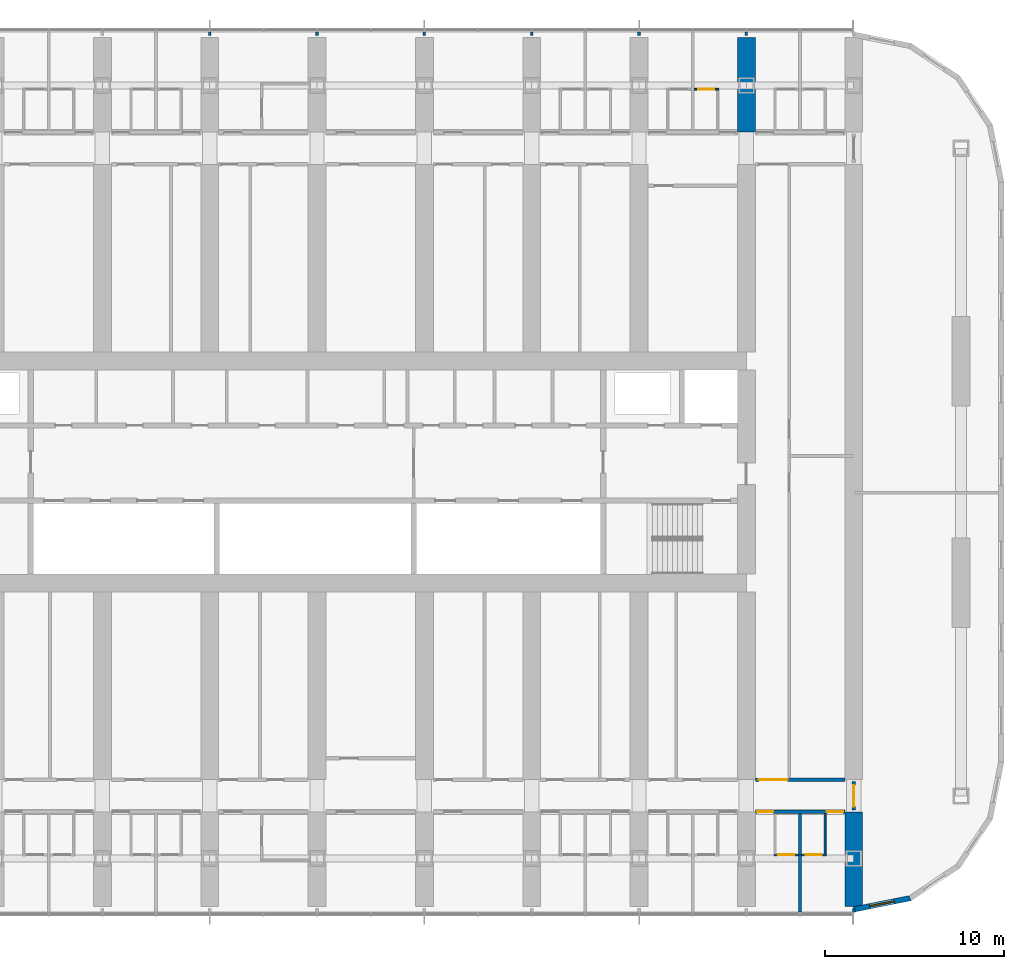
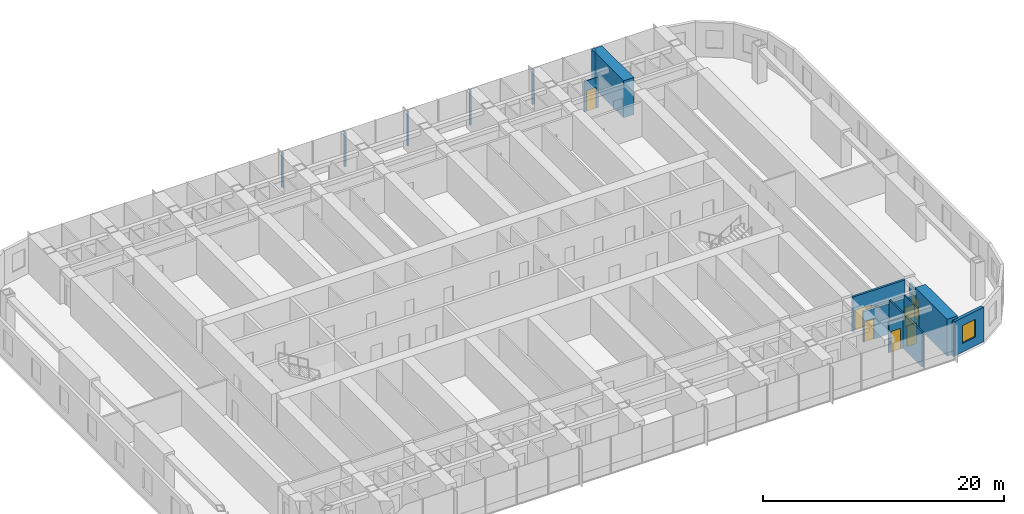
# One storey, part 18 of 25: 18 walls, 7 doors, 1 window, 8 openings.
"""IFC4 building model written with IfcOpenShell, lengths in metres."""

from ifc_helpers import new_model, si_unit, direction, frame, frame_2d, origin, place, context, subcontext, project, spatial, polyline, rectangle, outline, extrude, material, layer, layer_set, type_object, element, fill, save


model = new_model("IFC4")

# Units and contexts
model_context = context("Model", 3, precision=1e-05, world=origin(), true_north=direction((0.0, 1.0)))
body_context = subcontext(model_context, "Body", "Model", "MODEL_VIEW")
ifc_project = project(units=[si_unit("LENGTHUNIT", "METRE"), si_unit("AREAUNIT", "SQUARE_METRE"), si_unit("VOLUMEUNIT", "CUBIC_METRE"), si_unit("PLANEANGLEUNIT", "RADIAN"), si_unit("MASSUNIT", "GRAM", prefix="KILO")], contexts=[model_context])

# Site, building, storey
site_placement = place(None, origin())
site = spatial("IfcSite", under=ifc_project, at=site_placement, CompositionType="ELEMENT")
building_placement = place(site_placement, origin())
building = spatial("IfcBuilding", under=site, at=building_placement, Name="Orbita Commons", CompositionType="ELEMENT")
storey_placement = place(building_placement, frame((0.0, 0.0, 31.449951171875)))
storey = spatial("IfcBuildingStorey", under=building, at=storey_placement, Name="L07", CompositionType="ELEMENT", Elevation=31.449951171875)

# Wall, openings, doors
ifc_material_1 = material(Name="Concrete blockwork", Category="masonry")
ifc_layer_1 = layer(ifc_material_1, 0.199951171875)
ifc_layer_set_1 = layer_set([ifc_layer_1], Name="Concrete blockwork")
wall_type_1 = type_object("IfcWallType", Name="Corridor wall 200 blockwork", PredefinedType="SOLIDWALL", material=ifc_layer_set_1)
wall_1_placement = place(storey_placement, frame((66.5, 13.0, 0.0), z_axis=(0.0, 0.0, 1.0), x_axis=(1.0, 0.0, 0.0)))
wall_1 = element("IfcWall", 1, at=wall_1_placement, inside=storey, type_object=wall_type_1, Name="Corridor wall 200 blockwork L07", PredefinedType="SOLIDWALL", context=body_context, shape_type="SweptSolid", body=[
    extrude(outline(polyline([(0.0, 0.0), (5.0, 0.0), (5.0, 3.10009765625), (0.0, 3.10009765625), (0.0, 0.0)])), frame((0.0, 0.10009765625, 0.0), z_axis=(0.0, -1.0, 0.0), x_axis=(1.0, 0.0, 0.0)), (0.0, 0.0, 1.0), 0.199951171875),
])
opening_1_placement = place(wall_1_placement, frame((0.10009765625, 0.0, 0.0)))
opening_1 = element("IfcOpeningElement", 2, at=opening_1_placement, cuts=wall_1, Name="Opening D11", PredefinedType="OPENING", context=body_context, shape_type="SweptSolid", body=[
    extrude(rectangle(XDim=0.89990234375, YDim=2.10009765625, at=frame_2d((0.449951171875, 1.050048828125))), frame((0.0, 0.10986328125, 0.0), z_axis=(0.0, -1.0, 0.0), x_axis=(1.0, 0.0, 0.0)), (0.0, 0.0, 1.0), 0.219970703125),
])
opening_2_placement = place(wall_1_placement, frame((4.0, 0.0, 0.0)))
opening_2 = element("IfcOpeningElement", 3, at=opening_2_placement, cuts=wall_1, Name="Opening D11", PredefinedType="OPENING", context=body_context, shape_type="SweptSolid", body=[
    extrude(rectangle(XDim=0.89990234375, YDim=2.10009765625, at=frame_2d((0.449951171875, 1.050048828125))), frame((0.0, 0.10986328125, 0.0), z_axis=(0.0, -1.0, 0.0), x_axis=(1.0, 0.0, 0.0)), (0.0, 0.0, 1.0), 0.219970703125),
])
ifc_material_2 = material(Name="Steel-faced fire door leaf", Category="steel")
door_type_1 = type_object("IfcDoorType", Name="Corridor door 20 min 900x2100", OperationType="SINGLE_SWING_LEFT", PredefinedType="DOOR", material=ifc_material_2)
door_1_placement = place(opening_1_placement, origin())
door_1 = element("IfcDoor", 4, at=door_1_placement, inside=storey, type_object=door_type_1, Name="House bedroom L07-S18 door", OperationType="SINGLE_SWING_LEFT", OverallHeight=2.10009765625, OverallWidth=0.89990234375, PredefinedType="DOOR", context=body_context, shape_type="SweptSolid", body=[
    extrude(rectangle(XDim=0.89990234375, YDim=2.10009765625, at=frame_2d((0.449951171875, 1.050048828125))), frame((0.0, 0.02490234375, 0.0), z_axis=(0.0, -1.0, 0.0), x_axis=(1.0, 0.0, 0.0)), (0.0, 0.0, 1.0), 0.050048828125),
])
fill(opening_1, door_1)
door_2_placement = place(opening_2_placement, origin())
door_2 = element("IfcDoor", 5, at=door_2_placement, inside=storey, type_object=door_type_1, Name="House bedroom L07-S19 door", OperationType="SINGLE_SWING_LEFT", OverallHeight=2.10009765625, OverallWidth=0.89990234375, PredefinedType="DOOR", context=body_context, shape_type="SweptSolid", body=[
    extrude(rectangle(XDim=0.89990234375, YDim=2.10009765625, at=frame_2d((0.449951171875, 1.050048828125))), frame((0.0, 0.02490234375, 0.0), z_axis=(0.0, -1.0, 0.0), x_axis=(1.0, 0.0, 0.0)), (0.0, 0.0, 1.0), 0.050048828125),
])
fill(opening_2, door_2)

# Wall, opening, door
wall_2_placement = place(storey_placement, frame((72.0, 13.10009765625, 0.0), z_axis=(0.0, 0.0, 1.0), x_axis=(0.0, 1.0, 0.0)))
wall_2 = element("IfcWall", 6, at=wall_2_placement, inside=storey, type_object=wall_type_1, Name="Corridor wall 200 blockwork L07", PredefinedType="SOLIDWALL", context=body_context, shape_type="SweptSolid", body=[
    extrude(outline(polyline([(0.0, 0.0), (1.599853515625, 0.0), (1.60009765625, 3.050048828125), (0.0, 3.050048828125), (0.0, 0.0)])), frame((0.0, 0.10009765625, 0.0), z_axis=(0.0, -1.0, 0.0), x_axis=(1.0, 0.0, 0.0)), (0.0, 0.0, 1.0), 0.199951171875),
])
opening_3_placement = place(wall_2_placement, frame((0.199951171875, 0.0, 0.0)))
opening_3 = element("IfcOpeningElement", 7, at=opening_3_placement, cuts=wall_2, Name="Opening D12", PredefinedType="OPENING", context=body_context, shape_type="SweptSolid", body=[
    extrude(rectangle(XDim=1.199951171875, YDim=2.10009765625, at=frame_2d((0.60009765625, 1.050048828125))), frame((0.0, 0.10986328125, 0.0), z_axis=(0.0, -1.0, 0.0), x_axis=(1.0, 0.0, 0.0)), (0.0, 0.0, 1.0), 0.219970703125),
])
ifc_material_3 = material(Name="Steel-faced fire door leaf", Category="steel")
door_type_2 = type_object("IfcDoorType", Name="Double corridor door 20 min 1200x2100", OperationType="DOUBLE_DOOR_SINGLE_SWING", PredefinedType="DOOR", material=ifc_material_3)
door_3_placement = place(opening_3_placement, origin())
door_3 = element("IfcDoor", 8, at=door_3_placement, inside=storey, type_object=door_type_2, Name="Lounge doors", OperationType="DOUBLE_DOOR_SINGLE_SWING", OverallHeight=2.10009765625, OverallWidth=1.199951171875, PredefinedType="DOOR", context=body_context, shape_type="SweptSolid", body=[
    extrude(rectangle(XDim=1.199951171875, YDim=2.10009765625, at=frame_2d((0.60009765625, 1.050048828125))), frame((0.0, 0.02490234375, 0.0), z_axis=(0.0, -1.0, 0.0), x_axis=(1.0, 0.0, 0.0)), (0.0, 0.0, 1.0), 0.050048828125),
])
fill(opening_3, door_3)

ifc_material_4 = material(Name="Hollow concrete block 200", Category="concrete")
ifc_layer_2 = layer(ifc_material_4, 0.199951171875)
ifc_layer_set_2 = layer_set([ifc_layer_2], Name="Hollow concrete block 200")
wall_type_2 = type_object("IfcWallType", Name="Corridor wall 200 hollow concrete block", PredefinedType="SOLIDWALL", material=ifc_layer_set_2)
wall_3_placement = place(storey_placement, frame((66.5, 14.800048828125, 0.0), z_axis=(0.0, 0.0, 1.0), x_axis=(1.0, 0.0, 0.0)))
wall_3 = element("IfcWall", 9, at=wall_3_placement, inside=storey, type_object=wall_type_2, Name="Corridor wall 200 hollow concrete block L07", PredefinedType="SOLIDWALL", context=body_context, shape_type="SweptSolid", body=[
    extrude(rectangle(XDim=5.0, YDim=0.199951171875, at=frame_2d((2.5, 0.0))), origin(), (0.0, 0.0, 1.0), 3.5),
])
opening_4_placement = place(wall_3_placement, frame((0.199951171875, 0.0, 0.0)))
opening_4 = element("IfcOpeningElement", 10, at=opening_4_placement, cuts=wall_3, Name="Opening D10", PredefinedType="OPENING", context=body_context, shape_type="SweptSolid", body=[
    extrude(rectangle(XDim=1.60009765625, YDim=2.10009765625, at=frame_2d((0.800048828125, 1.050048828125))), frame((0.0, 0.10986328125, 0.0), z_axis=(0.0, -1.0, 0.0), x_axis=(1.0, 0.0, 0.0)), (0.0, 0.0, 1.0), 0.219970703125),
])
ifc_material_5 = material(Name="Steel-faced fire door leaf", Category="steel")
door_type_3 = type_object("IfcDoorType", Name="Double corridor door 20 min 1600x2100", OperationType="DOUBLE_DOOR_SINGLE_SWING", PredefinedType="DOOR", material=ifc_material_5)
door_4_placement = place(opening_4_placement, origin())
door_4 = element("IfcDoor", 11, at=door_4_placement, inside=storey, type_object=door_type_3, Name="Cross corridor doors", OperationType="DOUBLE_DOOR_SINGLE_SWING", OverallHeight=2.10009765625, OverallWidth=1.60009765625, PredefinedType="DOOR", context=body_context, shape_type="SweptSolid", body=[
    extrude(rectangle(XDim=1.60009765625, YDim=2.10009765625, at=frame_2d((0.800048828125, 1.050048828125))), frame((0.0, 0.02490234375, 0.0), z_axis=(0.0, -1.0, 0.0), x_axis=(1.0, 0.0, 0.0)), (0.0, 0.0, 1.0), 0.050048828125),
])
fill(opening_4, door_4)

# Walls
ifc_material_6 = material(Name="Concrete C50/60", Category="concrete")
ifc_layer_3 = layer(ifc_material_6, 1.0)
ifc_layer_set_3 = layer_set([ifc_layer_3], Name="Concrete C50/60")
wall_type_3 = type_object("IfcWallType", Name="Cross wall 1000 C50/60", PredefinedType="SHEAR", material=ifc_layer_set_3)
for number, where, z_axis, x_axis, name in (
    (12, (66.0, 51.0, 0.0), (0.0, 0.0, 1.0), (0.0, 1.0, 0.0), "Cross wall 12 north outer L07"),
    (13, (72.0, 7.699951171875, 0.0), (0.0, 0.0, 1.0), (0.0, 1.0, 0.0), "Cross wall 13 south outer L07"),
):
    element("IfcWall", number, at=place(storey_placement, frame(where, z_axis=z_axis, x_axis=x_axis)), inside=storey, type_object=wall_type_3, Name=name, PredefinedType="SHEAR", context=body_context, shape_type="SweptSolid", body=[
        extrude(rectangle(XDim=5.300048828125, YDim=1.0, at=frame_2d((2.64990234375, 0.0))), origin(), (0.0, 0.0, 1.0), 3.75),
    ])

# Wall, opening, door
ifc_material_7 = material(Name="Moisture-resistant plasterboard on steel studs", Category="steel")
ifc_layer_4 = layer(ifc_material_7, 0.10009765625)
ifc_layer_set_4 = layer_set([ifc_layer_4], Name="Moisture-resistant plasterboard on steel studs")
wall_type_4 = type_object("IfcWallType", Name="En-suite partition 100", PredefinedType="PARTITIONING", material=ifc_layer_set_4)
wall_4_placement = place(storey_placement, frame((68.925048828125, 10.59814453125, 0.0), z_axis=(0.0, 0.0, 1.0), x_axis=(-1.0, 0.0, 0.0)))
wall_4 = element("IfcWall", 14, at=wall_4_placement, inside=storey, type_object=wall_type_4, Name="En-suite partition 100 L07", PredefinedType="PARTITIONING", context=body_context, shape_type="SweptSolid", body=[
    extrude(outline(polyline([(0.0, 0.0), (1.375, 0.0), (1.375, 3.10009765625), (0.0, 3.10009765625), (0.0, 0.0)])), frame((0.0, 0.050048828125, 0.0), z_axis=(0.0, -1.0, 0.0), x_axis=(1.0, 0.0, 0.0)), (0.0, 0.0, 1.0), 0.10009765625),
])
opening_5_placement = place(wall_4_placement, frame((0.237548828125, 0.0, 0.0)))
opening_5 = element("IfcOpeningElement", 15, at=opening_5_placement, cuts=wall_4, Name="Opening D09", PredefinedType="OPENING", context=body_context, shape_type="SweptSolid", body=[
    extrude(rectangle(XDim=0.89990234375, YDim=2.10009765625, at=frame_2d((0.449951171875, 1.050048828125))), frame((0.0, 0.06005859375, 0.0), z_axis=(0.0, -1.0, 0.0), x_axis=(1.0, 0.0, 0.0)), (0.0, 0.0, 1.0), 0.1201171875),
])
ifc_material_8 = material(Name="Laminated timber door leaf", Category="wood")
door_type_4 = type_object("IfcDoorType", Name="En-suite door 900x2100", OperationType="SINGLE_SWING_RIGHT", PredefinedType="DOOR", material=ifc_material_8)
door_5_placement = place(opening_5_placement, origin())
door_5 = element("IfcDoor", 16, at=door_5_placement, inside=storey, type_object=door_type_4, Name="En-suite L07-S18 door", OperationType="SINGLE_SWING_RIGHT", OverallHeight=2.10009765625, OverallWidth=0.89990234375, PredefinedType="DOOR", context=body_context, shape_type="SweptSolid", body=[
    extrude(rectangle(XDim=0.89990234375, YDim=2.10009765625, at=frame_2d((0.449951171875, 1.050048828125))), frame((0.0, 0.02490234375, 0.0), z_axis=(0.0, -1.0, 0.0), x_axis=(1.0, 0.0, 0.0)), (0.0, 0.0, 1.0), 0.050048828125),
])
fill(opening_5, door_5)

wall_5_placement = place(storey_placement, frame((70.449951171875, 10.59814453125, 0.0), z_axis=(0.0, 0.0, 1.0), x_axis=(-1.0, 0.0, 0.0)))
wall_5 = element("IfcWall", 17, at=wall_5_placement, inside=storey, type_object=wall_type_4, Name="En-suite partition 100 L07", PredefinedType="PARTITIONING", context=body_context, shape_type="SweptSolid", body=[
    extrude(outline(polyline([(0.0, 0.0), (1.375, 0.0), (1.375, 3.10009765625), (0.0, 3.10009765625), (0.0, 0.0)])), frame((0.0, 0.050048828125, 0.0), z_axis=(0.0, -1.0, 0.0), x_axis=(1.0, 0.0, 0.0)), (0.0, 0.0, 1.0), 0.10009765625),
])
opening_6_placement = place(wall_5_placement, frame((0.237548828125, 0.0, 0.0)))
opening_6 = element("IfcOpeningElement", 18, at=opening_6_placement, cuts=wall_5, Name="Opening D09", PredefinedType="OPENING", context=body_context, shape_type="SweptSolid", body=[
    extrude(rectangle(XDim=0.89990234375, YDim=2.10009765625, at=frame_2d((0.449951171875, 1.050048828125))), frame((0.0, 0.06005859375, 0.0), z_axis=(0.0, -1.0, 0.0), x_axis=(1.0, 0.0, 0.0)), (0.0, 0.0, 1.0), 0.1201171875),
])
door_6_placement = place(opening_6_placement, origin())
door_6 = element("IfcDoor", 19, at=door_6_placement, inside=storey, type_object=door_type_4, Name="En-suite L07-S19 door", OperationType="SINGLE_SWING_RIGHT", OverallHeight=2.10009765625, OverallWidth=0.89990234375, PredefinedType="DOOR", context=body_context, shape_type="SweptSolid", body=[
    extrude(rectangle(XDim=0.89990234375, YDim=2.10009765625, at=frame_2d((0.449951171875, 1.050048828125))), frame((0.0, 0.02490234375, 0.0), z_axis=(0.0, -1.0, 0.0), x_axis=(1.0, 0.0, 0.0)), (0.0, 0.0, 1.0), 0.050048828125),
])
fill(opening_6, door_6)

# Wall
wall_6_placement = place(storey_placement, frame((70.39990234375, 10.648193359375, 0.0), z_axis=(0.0, 0.0, 1.0), x_axis=(0.0, 1.0, 0.0)))
element("IfcWall", 20, at=wall_6_placement, inside=storey, type_object=wall_type_4, Name="En-suite partition 100 L07", PredefinedType="PARTITIONING", context=body_context, shape_type="SweptSolid", body=[
    extrude(outline(polyline([(0.0, 0.0), (2.251708984375, 0.0), (2.251953125, 3.10009765625), (2.203857421875, 3.10009765625), (2.201904296875, 3.5), (0.0, 3.5), (0.0, 0.0)])), frame((0.0, 0.050048828125, 0.0), z_axis=(0.0, -1.0, 0.0), x_axis=(1.0, 0.0, 0.0)), (0.0, 0.0, 1.0), 0.10009765625),
])

# Wall, opening, door
wall_7_placement = place(storey_placement, frame((63.074951171875, 53.40185546875, 0.0), z_axis=(0.0, 0.0, 1.0), x_axis=(1.0, 0.0, 0.0)))
wall_7 = element("IfcWall", 21, at=wall_7_placement, inside=storey, type_object=wall_type_4, Name="En-suite partition 100 L07", PredefinedType="PARTITIONING", context=body_context, shape_type="SweptSolid", body=[
    extrude(outline(polyline([(0.0, 0.0), (1.375, 0.0), (1.375, 3.10009765625), (0.0, 3.10009765625), (0.0, 0.0)])), frame((0.0, 0.050048828125, 0.0), z_axis=(0.0, -1.0, 0.0), x_axis=(1.0, 0.0, 0.0)), (0.0, 0.0, 1.0), 0.10009765625),
])
opening_7_placement = place(wall_7_placement, frame((0.237548828125, 0.0, 0.0)))
opening_7 = element("IfcOpeningElement", 22, at=opening_7_placement, cuts=wall_7, Name="Opening D09", PredefinedType="OPENING", context=body_context, shape_type="SweptSolid", body=[
    extrude(rectangle(XDim=0.89990234375, YDim=2.10009765625, at=frame_2d((0.449951171875, 1.050048828125))), frame((0.0, 0.06005859375, 0.0), z_axis=(0.0, -1.0, 0.0), x_axis=(1.0, 0.0, 0.0)), (0.0, 0.0, 1.0), 0.1201171875),
])
door_7_placement = place(opening_7_placement, origin())
door_7 = element("IfcDoor", 23, at=door_7_placement, inside=storey, type_object=door_type_4, Name="En-suite L07-N17 door", OperationType="SINGLE_SWING_RIGHT", OverallHeight=2.10009765625, OverallWidth=0.89990234375, PredefinedType="DOOR", context=body_context, shape_type="SweptSolid", body=[
    extrude(rectangle(XDim=0.89990234375, YDim=2.10009765625, at=frame_2d((0.449951171875, 1.050048828125))), frame((0.0, 0.02490234375, 0.0), z_axis=(0.0, -1.0, 0.0), x_axis=(1.0, 0.0, 0.0)), (0.0, 0.0, 1.0), 0.050048828125),
])
fill(opening_7, door_7)

# Walls
ifc_material_9 = material(Name="Gypsum plasterboard on steel studs", Category="steel")
ifc_layer_5 = layer(ifc_material_9, 0.14990234375)
ifc_layer_set_5 = layer_set([ifc_layer_5], Name="Gypsum plasterboard on steel studs")
wall_type_5 = type_object("IfcWallType", Name="Partition 150 plasterboard", PredefinedType="PARTITIONING", material=ifc_layer_set_5)
for number, where, z_axis, x_axis, name in (
    (24, (36.0, 56.39990234375, 0.0), (0.0, 0.0, 1.0), (0.0, 1.0, 0.0), "Partition 150 plasterboard L07"),
    (25, (42.0, 56.39990234375, 0.0), (0.0, 0.0, 1.0), (0.0, 1.0, 0.0), "Partition 150 plasterboard L07"),
    (26, (48.0, 56.39990234375, 0.0), (0.0, 0.0, 1.0), (0.0, 1.0, 0.0), "Partition 150 plasterboard L07"),
    (27, (54.0, 56.39990234375, 0.0), (0.0, 0.0, 1.0), (0.0, 1.0, 0.0), "Partition 150 plasterboard L07"),
    (28, (60.0, 56.39990234375, 0.0), (0.0, 0.0, 1.0), (0.0, 1.0, 0.0), "Partition 150 plasterboard L07"),
    (29, (66.0, 56.39990234375, 0.0), (0.0, 0.0, 1.0), (0.0, 1.0, 0.0), "Partition 150 plasterboard L07"),
):
    element("IfcWall", number, at=place(storey_placement, frame(where, z_axis=z_axis, x_axis=x_axis)), inside=storey, type_object=wall_type_5, Name=name, PredefinedType="PARTITIONING", context=body_context, shape_type="SweptSolid", body=[
        extrude(rectangle(XDim=0.190185546875, YDim=0.14990234375, at=frame_2d((0.09521484375, 0.0))), origin(), (0.0, 0.0, 1.0), 3.5),
    ])
wall_8_placement = place(storey_placement, frame((72.0, 7.60009765625, 0.0), z_axis=(0.0, 0.0, 1.0), x_axis=(0.0, -1.0, 0.0)))
element("IfcWall", 30, at=wall_8_placement, inside=storey, type_object=wall_type_5, Name="Partition 150 plasterboard L07", PredefinedType="PARTITIONING", context=body_context, shape_type="SweptSolid", body=[
    extrude(rectangle(XDim=0.22021484375, YDim=0.14990234375, at=frame_2d((0.110107421875, 0.0))), origin(), (0.0, 0.0, 1.0), 3.5),
])
ifc_material_10 = material(Name="Gypsum plasterboard on steel studs", Category="steel")
ifc_layer_6 = layer(ifc_material_10, 0.14990234375)
ifc_layer_set_6 = layer_set([ifc_layer_6], Name="Gypsum plasterboard on steel studs")
wall_type_6 = type_object("IfcWallType", Name="Party wall 150 plasterboard", PredefinedType="PARTITIONING", material=ifc_layer_set_6)
wall_9_placement = place(storey_placement, frame((69.0, 7.409912109375, 0.0), z_axis=(0.0, 0.0, 1.0), x_axis=(0.0, 1.0, 0.0)))
element("IfcWall", 31, at=wall_9_placement, inside=storey, type_object=wall_type_6, Name="Party wall 150 plasterboard L07", PredefinedType="PARTITIONING", context=body_context, shape_type="SweptSolid", body=[
    extrude(outline(polyline([(0.0, 0.0), (5.489990234375, 0.0), (5.489990234375, 3.10009765625), (5.44189453125, 3.10009765625), (5.43994140625, 3.5), (3.19189453125, 3.5), (3.18994140625, 3.10009765625), (2.7919921875, 3.10009765625), (2.7900390625, 3.5), (0.0, 3.5), (0.0, 0.0)])), frame((0.0, 0.074951171875, 0.0), z_axis=(0.0, -1.0, 0.0), x_axis=(1.0, 0.0, 0.0)), (0.0, 0.0, 1.0), 0.14990234375),
])

# Wall, opening, window
ifc_material_11 = material(Name="Precast concrete C40/50, white board-marked finish", Category="concrete")
ifc_layer_7 = layer(ifc_material_11, 0.300048828125)
ifc_layer_set_7 = layer_set([ifc_layer_7], Name="Precast concrete C40/50, white board-marked finish")
wall_type_7 = type_object("IfcWallType", Name="Precast concrete end shield 300", PredefinedType="SOLIDWALL", material=ifc_layer_set_7)
wall_10_placement = place(storey_placement, frame((72.0, 7.550048828125, 0.0), z_axis=(0.0, 0.0, 1.0), x_axis=(0.980787251524, 0.195080412259, 0.0)))
wall_10 = element("IfcWall", 32, at=wall_10_placement, inside=storey, type_object=wall_type_7, Name="End shield SE chord 1 L07", PredefinedType="SOLIDWALL", context=body_context, shape_type="SweptSolid", body=[
    extrude(outline(polyline([(-0.02978515625, -0.14990234375), (3.24853515625, -0.14990234375), (3.18896484375, 0.14990234375), (0.02978515625, 0.14990234375), (-0.02978515625, -0.14990234375)])), origin(), (0.0, 0.0, 1.0), 3.5),
])
opening_8_placement = place(wall_10_placement, frame((0.909423828125, 0.0, 0.89990234375)))
opening_8 = element("IfcOpeningElement", 33, at=opening_8_placement, cuts=wall_10, Name="Opening W02", PredefinedType="OPENING", context=body_context, shape_type="SweptSolid", body=[
    extrude(rectangle(XDim=1.39990234375, YDim=1.800048828125, at=frame_2d((0.699951171875, 0.89990234375))), frame((0.0, 0.159912109375, 0.0), z_axis=(0.0, -1.0, 0.0), x_axis=(1.0, 0.0, 0.0)), (0.0, 0.0, 1.0), 0.320068359375),
])
ifc_material_12 = material(Name="Aluminium frame, clear double glazing", Category="aluminium")
window_type = type_object("IfcWindowType", Name="Deep-set window 1400x1800", PartitioningType="SINGLE_PANEL", PredefinedType="WINDOW", material=ifc_material_12)
window_placement = place(opening_8_placement, origin())
window = element("IfcWindow", 34, at=window_placement, inside=storey, type_object=window_type, Name="Window L07-SE0", OverallHeight=1.800048828125, OverallWidth=1.39990234375, PartitioningType="SINGLE_PANEL", PredefinedType="WINDOW", context=body_context, shape_type="SweptSolid", body=[
    extrude(rectangle(XDim=1.39990234375, YDim=1.800048828125, at=frame_2d((0.699951171875, 0.89990234375))), frame((0.0, 0.030029296875, 0.0), z_axis=(0.0, -1.0, 0.0), x_axis=(1.0, 0.0, 0.0)), (0.0, 0.0, 1.0), 0.06005859375),
])
fill(opening_8, window)

save(model, "model.ifc")
